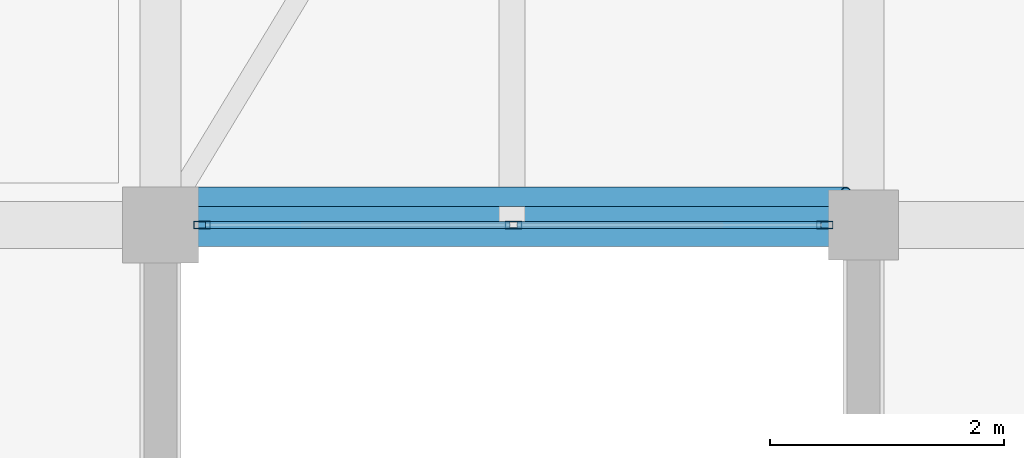
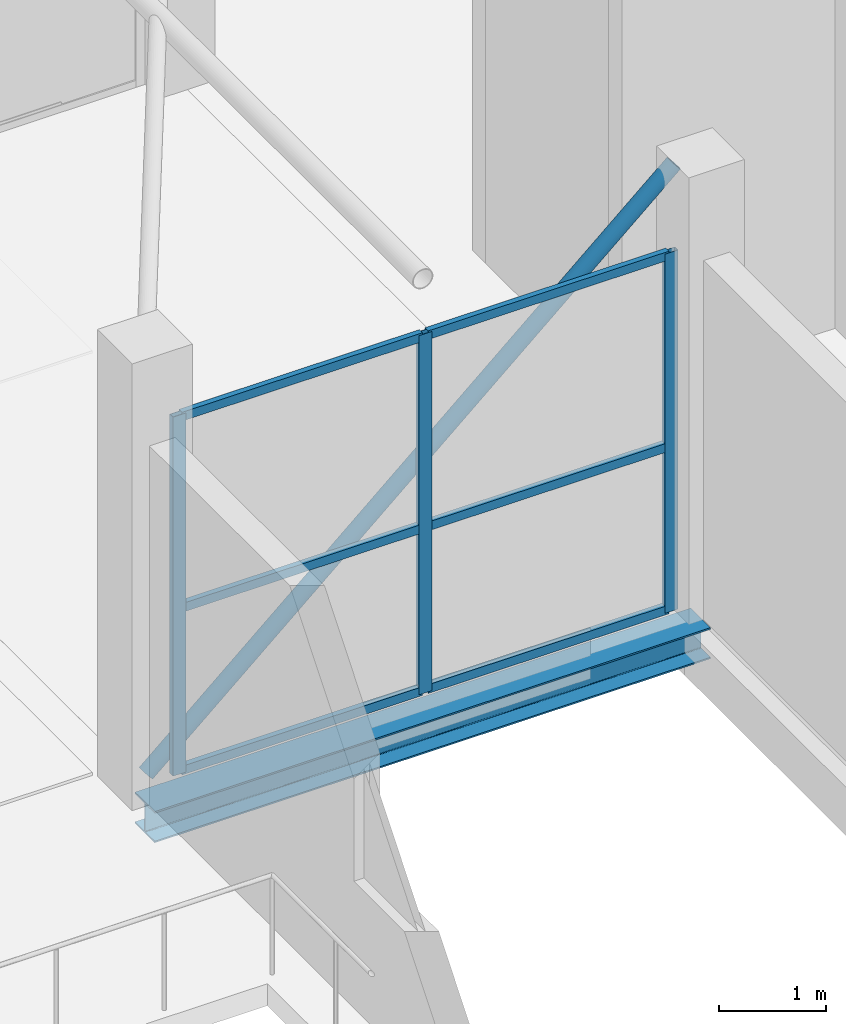
# One storey, part 12 of 58: 10 members, 1 beam, 1 element without a shape of its own.
"""IFC4 building model written with IfcOpenShell, lengths in metres."""

from ifc_helpers import new_model, si_unit, direction, frame, origin, origin_2d, place, context, subcontext, project, spatial, hollow_rectangle, hollow_circle, i_section, extrude, material, layer, layer_set, material_profile, profile_set, type_object, element, aggregate, save


model = new_model("IFC4")

# Units and contexts
model_context = context("Model", 3, precision=1e-05, world=origin(), true_north=direction((0.0, 1.0)))
body_context = subcontext(model_context, "Body", "Model", "MODEL_VIEW")
ifc_project = project(units=[si_unit("LENGTHUNIT", "METRE"), si_unit("AREAUNIT", "SQUARE_METRE"), si_unit("VOLUMEUNIT", "CUBIC_METRE"), si_unit("PLANEANGLEUNIT", "RADIAN"), si_unit("MASSUNIT", "GRAM", prefix="KILO")], contexts=[model_context])

# Site, building, storey
site_placement = place(None, origin())
site = spatial("IfcSite", under=ifc_project, at=site_placement, CompositionType="ELEMENT")
building_placement = place(site_placement, origin())
building = spatial("IfcBuilding", under=site, at=building_placement, Name="Sillaruma Civic Art Gallery", CompositionType="ELEMENT")
storey_placement = place(building_placement, frame((0.0, 0.0, 52.02001953125)))
storey = spatial("IfcBuildingStorey", under=building, at=storey_placement, Name="L10", CompositionType="ELEMENT", Elevation=52.02001953125)

# Beam
ifc_material_1 = material(Name="Structural Steel ASTM A992 Gr.50", Category="steel")
ifc_material_profile_1 = material_profile(ifc_material_1, i_section(OverallWidth=0.368896484375, OverallDepth=0.35595703125, WebThickness=0.01123046875, FlangeThickness=0.01806640625, FilletRadius=0.014892578125, at=origin_2d()), Name="W360x134")
ifc_profile_set_1 = profile_set([ifc_material_profile_1], Name="Structural Steel ASTM A992 Gr.50")
beam_type = type_object("IfcBeamType", Name="BM-BRIDGE-W360x134", PredefinedType="SPANDREL", material=ifc_profile_set_1)
beam_placement = place(storey_placement, frame((92.0, 39.60009765625, -0.387939453125), z_axis=(1.0, 0.0, 0.0), x_axis=(0.0, 1.0, 0.0)))
element("IfcBeam", 1, at=beam_placement, inside=storey, type_object=beam_type, Name="Sky-Bridge Steel Edge Girder (BRG-S:L10:S)", PredefinedType="SPANDREL", context=body_context, shape_type="SweptSolid", body=[
    extrude(i_section(OverallWidth=0.368896484375, OverallDepth=0.35595703125, WebThickness=0.01123046875, FlangeThickness=0.01806640625, FilletRadius=0.014892578125, at=origin_2d()), origin(), (0.0, 0.0, 1.0), 6.0),
])

# Member
ifc_material_2 = material(Name="Structural Steel ASTM A500 Gr.C", Category="steel")
ifc_material_profile_2 = material_profile(ifc_material_2, hollow_circle(Radius=0.084228515625, WallThickness=0.007080078125, at=origin_2d()), Name="CHS168.3x7.1")
ifc_profile_set_2 = profile_set([ifc_material_profile_2], Name="Structural Steel ASTM A500 Gr.C")
member_type_1 = type_object("IfcMemberType", Name="MEM-BRIDGE-BRACE", PredefinedType="BRACE", material=ifc_profile_set_2)
member_1_placement = place(storey_placement, frame((92.14990234375, 39.840087890625, -0.080078125), z_axis=(0.753735417324, 0.0, 0.657177997707), x_axis=(0.0, 1.0, 0.0)))
element("IfcMember", 2, at=member_1_placement, inside=storey, type_object=member_type_1, Name="Sky-Bridge Elevation Truss Web Brace (BRG-S:L10:S)", PredefinedType="BRACE", context=body_context, shape_type="SweptSolid", body=[
    extrude(hollow_circle(Radius=0.084228515625, WallThickness=0.007080078125, at=origin_2d()), origin(), (0.0, 0.0, 1.0), 7.5625),
])

# Curtain wall, members
ifc_material_3 = material(Name="Thermally Broken Extruded Aluminium 6063-T6", Category="aluminium")
ifc_layer = layer(ifc_material_3, 0.139892578125, Name="Thermally Broken Extruded Aluminium 6063-T6")
ifc_layer_set = layer_set([ifc_layer], Name="Thermally Broken Extruded Aluminium 6063-T6")
curtain_wall_type = type_object("IfcCurtainWallType", Name="CW-UNI-85", PredefinedType="NOTDEFINED", material=ifc_layer_set)
curtain_wall_placement = place(storey_placement, origin())
curtain_wall = element("IfcCurtainWall", 3, at=curtain_wall_placement, inside=storey, type_object=curtain_wall_type, Name="Unitised Curtain Wall CW-85 (CW-BRG-S-L10-S)", PredefinedType="NOTDEFINED")
ifc_material_profile_3 = material_profile(ifc_material_3, hollow_rectangle(XDim=0.06005859375, YDim=0.139892578125, WallThickness=0.00341796875, at=origin_2d()), Name="CWM60x140")
ifc_profile_set_3 = profile_set([ifc_material_profile_3], Name="Thermally Broken Extruded Aluminium 6063-T6")
member_type_2 = type_object("IfcMemberType", Name="MEM-MUL-CWM60x140", PredefinedType="MULLION", material=ifc_profile_set_3)
member_2_placement = place(storey_placement, frame((92.35498046875, 39.60009765625, 0.0), z_axis=(0.0, 0.0, 1.0), x_axis=(0.0, 1.0, 0.0)))
member_2 = element("IfcMember", 4, at=member_2_placement, type_object=member_type_2, Name="CW-85 mullion 1", PredefinedType="MULLION", context=body_context, shape_type="SweptSolid", body=[
    extrude(hollow_rectangle(XDim=0.06005859375, YDim=0.139892578125, WallThickness=0.00341796875, at=origin_2d()), origin(), (0.0, 0.0, 1.0), 4.10009765625),
])
member_3_placement = place(storey_placement, frame((95.012451171875, 39.60009765625, 0.0), z_axis=(0.0, 0.0, 1.0), x_axis=(0.0, 1.0, 0.0)))
member_3 = element("IfcMember", 5, at=member_3_placement, type_object=member_type_2, Name="CW-85 mullion 2", PredefinedType="MULLION", context=body_context, shape_type="SweptSolid", body=[
    extrude(hollow_rectangle(XDim=0.06005859375, YDim=0.139892578125, WallThickness=0.00341796875, at=origin_2d()), origin(), (0.0, 0.0, 1.0), 4.10009765625),
])
member_4_placement = place(storey_placement, frame((97.669921875, 39.60009765625, 0.0), z_axis=(0.0, 0.0, 1.0), x_axis=(0.0, 1.0, 0.0)))
member_4 = element("IfcMember", 6, at=member_4_placement, type_object=member_type_2, Name="CW-85 mullion 3", PredefinedType="MULLION", context=body_context, shape_type="SweptSolid", body=[
    extrude(hollow_rectangle(XDim=0.06005859375, YDim=0.139892578125, WallThickness=0.00341796875, at=origin_2d()), origin(), (0.0, 0.0, 1.0), 4.10009765625),
])
ifc_material_profile_4 = material_profile(ifc_material_3, hollow_rectangle(XDim=0.06005859375, YDim=0.10009765625, WallThickness=0.003173828125, at=origin_2d()), Name="CWT60x100")
ifc_profile_set_4 = profile_set([ifc_material_profile_4], Name="Thermally Broken Extruded Aluminium 6063-T6")
member_type_3 = type_object("IfcMemberType", Name="MEM-TRN-CWT60x100", PredefinedType="USERDEFINED", material=ifc_profile_set_4)
member_5_placement = place(storey_placement, frame((92.385009765625, 39.60009765625, 0.030029296875), z_axis=(1.0, 0.0, 0.0), x_axis=(0.0, 1.0, 0.0)))
member_5 = element("IfcMember", 7, at=member_5_placement, type_object=member_type_3, Name="CW-85 transom 1.1", ObjectType="TRANSOM", PredefinedType="USERDEFINED", context=body_context, shape_type="SweptSolid", body=[
    extrude(hollow_rectangle(XDim=0.06005859375, YDim=0.10009765625, WallThickness=0.003173828125, at=origin_2d()), origin(), (0.0, 0.0, 1.0), 2.597412109375),
])
member_6_placement = place(storey_placement, frame((92.385009765625, 39.60009765625, 1.885986328125), z_axis=(1.0, 0.0, 0.0), x_axis=(0.0, 1.0, 0.0)))
member_6 = element("IfcMember", 8, at=member_6_placement, type_object=member_type_3, Name="CW-85 transom 1.2", ObjectType="TRANSOM", PredefinedType="USERDEFINED", context=body_context, shape_type="SweptSolid", body=[
    extrude(hollow_rectangle(XDim=0.06005859375, YDim=0.10009765625, WallThickness=0.003173828125, at=origin_2d()), origin(), (0.0, 0.0, 1.0), 2.597412109375),
])
member_7_placement = place(storey_placement, frame((92.385009765625, 39.60009765625, 4.070068359375), z_axis=(1.0, 0.0, 0.0), x_axis=(0.0, 1.0, 0.0)))
member_7 = element("IfcMember", 9, at=member_7_placement, type_object=member_type_3, Name="CW-85 transom 1.3", ObjectType="TRANSOM", PredefinedType="USERDEFINED", context=body_context, shape_type="SweptSolid", body=[
    extrude(hollow_rectangle(XDim=0.06005859375, YDim=0.10009765625, WallThickness=0.003173828125, at=origin_2d()), origin(), (0.0, 0.0, 1.0), 2.597412109375),
])
member_8_placement = place(storey_placement, frame((95.04248046875, 39.60009765625, 0.030029296875), z_axis=(1.0, 0.0, 0.0), x_axis=(0.0, 1.0, 0.0)))
member_8 = element("IfcMember", 10, at=member_8_placement, type_object=member_type_3, Name="CW-85 transom 2.1", ObjectType="TRANSOM", PredefinedType="USERDEFINED", context=body_context, shape_type="SweptSolid", body=[
    extrude(hollow_rectangle(XDim=0.06005859375, YDim=0.10009765625, WallThickness=0.003173828125, at=origin_2d()), origin(), (0.0, 0.0, 1.0), 2.597412109375),
])
member_9_placement = place(storey_placement, frame((95.04248046875, 39.60009765625, 1.885986328125), z_axis=(1.0, 0.0, 0.0), x_axis=(0.0, 1.0, 0.0)))
member_9 = element("IfcMember", 11, at=member_9_placement, type_object=member_type_3, Name="CW-85 transom 2.2", ObjectType="TRANSOM", PredefinedType="USERDEFINED", context=body_context, shape_type="SweptSolid", body=[
    extrude(hollow_rectangle(XDim=0.06005859375, YDim=0.10009765625, WallThickness=0.003173828125, at=origin_2d()), origin(), (0.0, 0.0, 1.0), 2.597412109375),
])
member_10_placement = place(storey_placement, frame((95.04248046875, 39.60009765625, 4.070068359375), z_axis=(1.0, 0.0, 0.0), x_axis=(0.0, 1.0, 0.0)))
member_10 = element("IfcMember", 12, at=member_10_placement, type_object=member_type_3, Name="CW-85 transom 2.3", ObjectType="TRANSOM", PredefinedType="USERDEFINED", context=body_context, shape_type="SweptSolid", body=[
    extrude(hollow_rectangle(XDim=0.06005859375, YDim=0.10009765625, WallThickness=0.003173828125, at=origin_2d()), origin(), (0.0, 0.0, 1.0), 2.597412109375),
])
aggregate(curtain_wall, [member_2, member_3, member_4, member_5, member_6, member_7, member_8, member_9, member_10])

save(model, "model.ifc")
